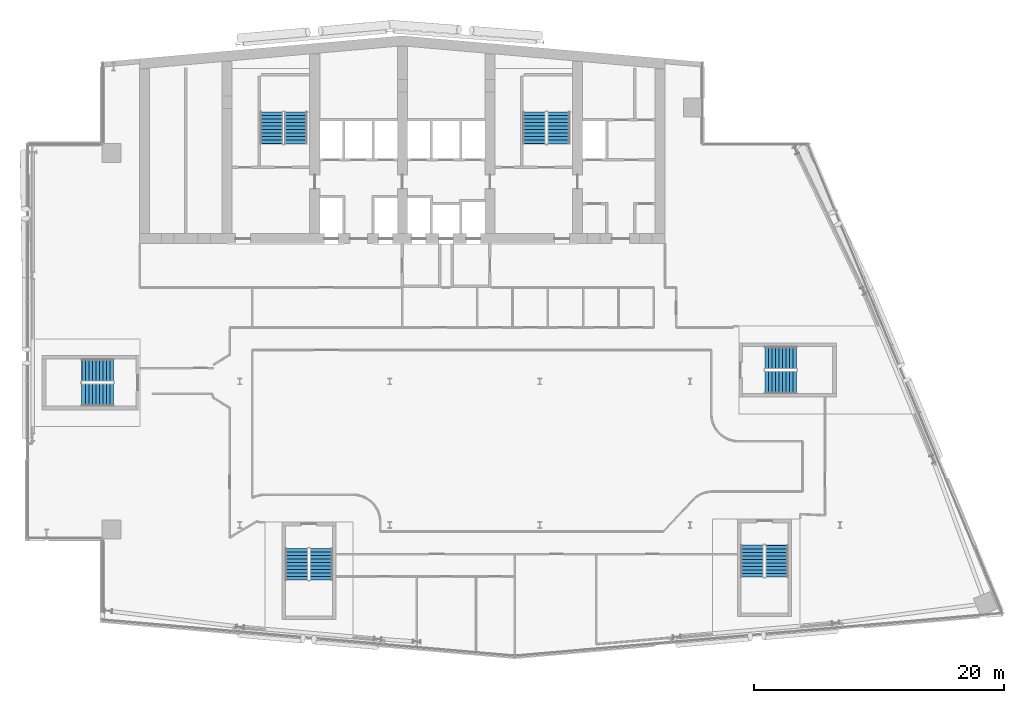
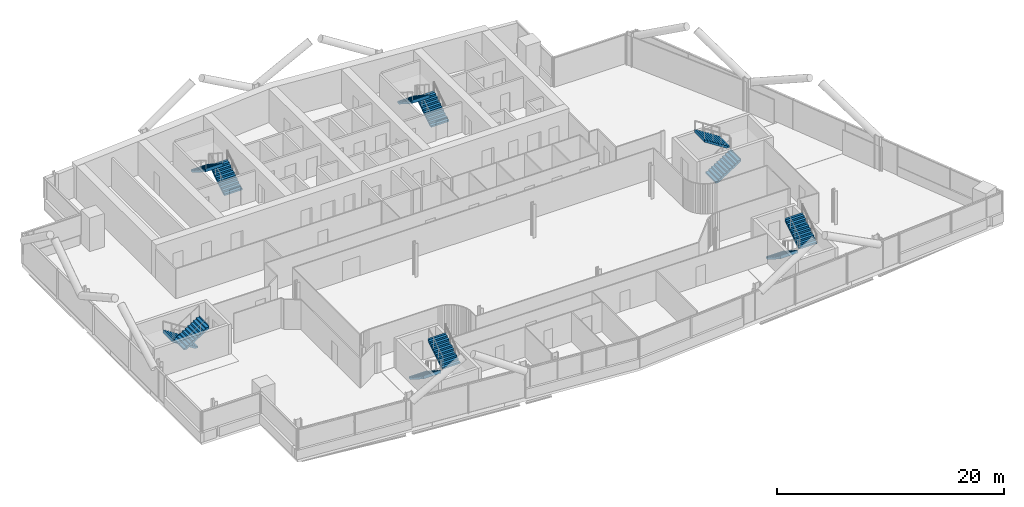
# One storey, part 22 of 29: 12 stair flights, 6 elements without a shape of their own.
"""IFC4 building model written with IfcOpenShell, lengths in metres."""

from ifc_helpers import new_model, si_unit, direction, frame, origin, place, context, subcontext, project, spatial, polyline, outline, extrude, material, type_object, element, aggregate, save


model = new_model("IFC4")

# Units and contexts
model_context = context("Model", 3, precision=1e-05, world=origin(), true_north=direction((0.0, 1.0)))
body_context = subcontext(model_context, "Body", "Model", "MODEL_VIEW")
ifc_project = project(units=[si_unit("LENGTHUNIT", "METRE"), si_unit("AREAUNIT", "SQUARE_METRE"), si_unit("VOLUMEUNIT", "CUBIC_METRE"), si_unit("PLANEANGLEUNIT", "RADIAN"), si_unit("MASSUNIT", "GRAM", prefix="KILO")], contexts=[model_context])

# Site, building, storey
site_placement = place(None, origin())
site = spatial("IfcSite", under=ifc_project, at=site_placement, CompositionType="ELEMENT")
building_placement = place(site_placement, origin())
building = spatial("IfcBuilding", under=site, at=building_placement, Name="Wharfspan Tower", CompositionType="ELEMENT")
storey_placement = place(building_placement, frame((0.0, 0.0, 162.699951)))
storey = spatial("IfcBuildingStorey", under=building, at=storey_placement, Name="L39", CompositionType="ELEMENT", Elevation=162.699951)

# Stair, stair flights
ifc_material = material(Name="Concrete C40/50", Category="concrete")
stair_type = type_object("IfcStairType", Name="Half-turn stair 20 risers 180 mm", PredefinedType="HALF_TURN_STAIR", material=ifc_material)
stair_1_placement = place(storey_placement, origin())
stair_1 = element("IfcStair", 1, at=stair_1_placement, inside=storey, type_object=stair_type, Name="L39 stair ST1", PredefinedType="HALF_TURN_STAIR")
stair_flight_type = type_object("IfcStairFlightType", Name="Stair flight 20 risers 180 mm", PredefinedType="STRAIGHT", material=ifc_material)
stair_flight_1_placement = place(storey_placement, frame((28.5, 42.0, 0.0), z_axis=(0.0, 0.0, 1.0), x_axis=(0.0, 1.0, 0.0)))
stair_flight_1 = element("IfcStairFlight", 2, at=stair_flight_1_placement, type_object=stair_flight_type, Name="ST1 flight 1", NumberOfRisers=10, NumberOfTreads=9, PredefinedType="STRAIGHT", RiserHeight=0.18, TreadLength=0.28, context=body_context, shape_type="SweptSolid", body=[
    extrude(outline(polyline([(-0.011963, 0.0), (-0.011963, 0.179932), (0.0, 0.179932), (0.280029, 0.179932), (0.280029, 0.360107), (0.560059, 0.360107), (0.560059, 0.540039), (0.840088, 0.540039), (0.840088, 0.719971), (1.120117, 0.719971), (1.120117, 0.899902), (1.399902, 0.899902), (1.399902, 1.080078), (1.679932, 1.080078), (1.679932, 1.26001), (1.959961, 1.26001), (1.959961, 1.439941), (2.23999, 1.439941), (2.23999, 1.620117), (2.52002, 1.620117), (2.531982, 1.800049), (2.531982, 1.441895), (0.2771, 0.0), (-0.011963, 0.0)])), frame((0.0, 0.899902, 0.0), z_axis=(0.0, -1.0, 0.0), x_axis=(1.0, 0.0, 0.0)), (0.0, 0.0, 1.0), 0.899414),
    extrude(outline(polyline([(-0.011963, 0.0), (-0.011963, 0.179932), (0.0, 0.179932), (0.280029, 0.179932), (0.280029, 0.360107), (0.560059, 0.360107), (0.560059, 0.540039), (0.840088, 0.540039), (0.840088, 0.719971), (1.120117, 0.719971), (1.120117, 0.899902), (1.399902, 0.899902), (1.399902, 1.080078), (1.679932, 1.080078), (1.679932, 1.26001), (1.959961, 1.26001), (1.959961, 1.439941), (2.23999, 1.439941), (2.23999, 1.620117), (2.52002, 1.620117), (2.531982, 1.800049), (2.531982, 1.441895), (0.2771, 0.0), (-0.011963, 0.0)])), frame((0.0, -0.000488, 0.0), z_axis=(0.0, -1.0, 0.0), x_axis=(1.0, 0.0, 0.0)), (0.0, 0.0, 1.0), 0.899414),
])
stair_flight_2_placement = place(storey_placement, frame((26.550049, 44.52002, 1.800049), z_axis=(0.0, 0.0, 1.0), x_axis=(0.0, -1.0, 0.0)))
stair_flight_2 = element("IfcStairFlight", 3, at=stair_flight_2_placement, type_object=stair_flight_type, Name="ST1 flight 2", NumberOfRisers=10, NumberOfTreads=9, PredefinedType="STRAIGHT", RiserHeight=0.18, TreadLength=0.28, context=body_context, shape_type="SweptSolid", body=[
    extrude(outline(polyline([(-0.011963, 0.0), (-0.011963, 0.179932), (0.0, 0.179932), (0.280029, 0.179932), (0.280029, 0.360107), (0.560059, 0.360107), (0.560059, 0.540039), (0.840088, 0.540039), (0.840088, 0.719971), (1.120117, 0.719971), (1.120117, 0.899902), (1.399902, 0.899902), (1.399902, 1.080078), (1.679932, 1.080078), (1.679932, 1.26001), (1.959961, 1.26001), (1.959961, 1.439941), (2.23999, 1.439941), (2.23999, 1.620117), (2.52002, 1.620117), (2.531982, 1.800049), (2.531982, 1.441895), (0.2771, 0.0), (-0.011963, 0.0)])), frame((0.0, 0.899902, 0.0), z_axis=(0.0, -1.0, 0.0), x_axis=(1.0, 0.0, 0.0)), (0.0, 0.0, 1.0), 0.899414),
    extrude(outline(polyline([(-0.011963, 0.0), (-0.011963, 0.179932), (0.0, 0.179932), (0.280029, 0.179932), (0.280029, 0.360107), (0.560059, 0.360107), (0.560059, 0.540039), (0.840088, 0.540039), (0.840088, 0.719971), (1.120117, 0.719971), (1.120117, 0.899902), (1.399902, 0.899902), (1.399902, 1.080078), (1.679932, 1.080078), (1.679932, 1.26001), (1.959961, 1.26001), (1.959961, 1.439941), (2.23999, 1.439941), (2.23999, 1.620117), (2.52002, 1.620117), (2.531982, 1.800049), (2.531982, 1.441895), (0.2771, 0.0), (-0.011963, 0.0)])), frame((0.0, -0.000488, 0.0), z_axis=(0.0, -1.0, 0.0), x_axis=(1.0, 0.0, 0.0)), (0.0, 0.0, 1.0), 0.899414),
])
aggregate(stair_1, [stair_flight_1, stair_flight_2])

stair_2_placement = place(storey_placement, origin())
stair_2 = element("IfcStair", 4, at=stair_2_placement, inside=storey, type_object=stair_type, Name="L39 stair ST2", PredefinedType="HALF_TURN_STAIR")
stair_flight_3_placement = place(storey_placement, frame((49.5, 42.0, 0.0), z_axis=(0.0, 0.0, 1.0), x_axis=(0.0, 1.0, 0.0)))
stair_flight_3 = element("IfcStairFlight", 5, at=stair_flight_3_placement, type_object=stair_flight_type, Name="ST2 flight 1", NumberOfRisers=10, NumberOfTreads=9, PredefinedType="STRAIGHT", RiserHeight=0.18, TreadLength=0.28, context=body_context, shape_type="SweptSolid", body=[
    extrude(outline(polyline([(-0.011963, 0.0), (-0.011963, 0.179932), (0.0, 0.179932), (0.280029, 0.179932), (0.280029, 0.360107), (0.560059, 0.360107), (0.560059, 0.540039), (0.840088, 0.540039), (0.840088, 0.719971), (1.120117, 0.719971), (1.120117, 0.899902), (1.399902, 0.899902), (1.399902, 1.080078), (1.679932, 1.080078), (1.679932, 1.26001), (1.959961, 1.26001), (1.959961, 1.439941), (2.23999, 1.439941), (2.23999, 1.620117), (2.52002, 1.620117), (2.531982, 1.800049), (2.531982, 1.441895), (0.2771, 0.0), (-0.011963, 0.0)])), frame((0.0, 0.899902, 0.0), z_axis=(0.0, -1.0, 0.0), x_axis=(1.0, 0.0, 0.0)), (0.0, 0.0, 1.0), 0.899414),
    extrude(outline(polyline([(-0.011963, 0.0), (-0.011963, 0.179932), (0.0, 0.179932), (0.280029, 0.179932), (0.280029, 0.360107), (0.560059, 0.360107), (0.560059, 0.540039), (0.840088, 0.540039), (0.840088, 0.719971), (1.120117, 0.719971), (1.120117, 0.899902), (1.399902, 0.899902), (1.399902, 1.080078), (1.679932, 1.080078), (1.679932, 1.26001), (1.959961, 1.26001), (1.959961, 1.439941), (2.23999, 1.439941), (2.23999, 1.620117), (2.52002, 1.620117), (2.531982, 1.800049), (2.531982, 1.441895), (0.2771, 0.0), (-0.011963, 0.0)])), frame((0.0, -0.000488, 0.0), z_axis=(0.0, -1.0, 0.0), x_axis=(1.0, 0.0, 0.0)), (0.0, 0.0, 1.0), 0.899414),
])
stair_flight_4_placement = place(storey_placement, frame((47.550049, 44.52002, 1.800049), z_axis=(0.0, 0.0, 1.0), x_axis=(0.0, -1.0, 0.0)))
stair_flight_4 = element("IfcStairFlight", 6, at=stair_flight_4_placement, type_object=stair_flight_type, Name="ST2 flight 2", NumberOfRisers=10, NumberOfTreads=9, PredefinedType="STRAIGHT", RiserHeight=0.18, TreadLength=0.28, context=body_context, shape_type="SweptSolid", body=[
    extrude(outline(polyline([(-0.011963, 0.0), (-0.011963, 0.179932), (0.0, 0.179932), (0.280029, 0.179932), (0.280029, 0.360107), (0.560059, 0.360107), (0.560059, 0.540039), (0.840088, 0.540039), (0.840088, 0.719971), (1.120117, 0.719971), (1.120117, 0.899902), (1.399902, 0.899902), (1.399902, 1.080078), (1.679932, 1.080078), (1.679932, 1.26001), (1.959961, 1.26001), (1.959961, 1.439941), (2.23999, 1.439941), (2.23999, 1.620117), (2.52002, 1.620117), (2.531982, 1.800049), (2.531982, 1.441895), (0.2771, 0.0), (-0.011963, 0.0)])), frame((0.0, 0.899902, 0.0), z_axis=(0.0, -1.0, 0.0), x_axis=(1.0, 0.0, 0.0)), (0.0, 0.0, 1.0), 0.899414),
    extrude(outline(polyline([(-0.011963, 0.0), (-0.011963, 0.179932), (0.0, 0.179932), (0.280029, 0.179932), (0.280029, 0.360107), (0.560059, 0.360107), (0.560059, 0.540039), (0.840088, 0.540039), (0.840088, 0.719971), (1.120117, 0.719971), (1.120117, 0.899902), (1.399902, 0.899902), (1.399902, 1.080078), (1.679932, 1.080078), (1.679932, 1.26001), (1.959961, 1.26001), (1.959961, 1.439941), (2.23999, 1.439941), (2.23999, 1.620117), (2.52002, 1.620117), (2.531982, 1.800049), (2.531982, 1.441895), (0.2771, 0.0), (-0.011963, 0.0)])), frame((0.0, -0.000488, 0.0), z_axis=(0.0, -1.0, 0.0), x_axis=(1.0, 0.0, 0.0)), (0.0, 0.0, 1.0), 0.899414),
])
aggregate(stair_2, [stair_flight_3, stair_flight_4])

stair_3_placement = place(storey_placement, origin())
stair_3 = element("IfcStair", 7, at=stair_3_placement, inside=storey, type_object=stair_type, Name="L39 stair ST3", PredefinedType="HALF_TURN_STAIR")
stair_flight_5_placement = place(storey_placement, frame((13.899902, 23.875, 0.0), z_axis=(0.0, 0.0, 1.0), x_axis=(-1.0, 0.0, 0.0)))
stair_flight_5 = element("IfcStairFlight", 8, at=stair_flight_5_placement, type_object=stair_flight_type, Name="ST3 flight 1", NumberOfRisers=10, NumberOfTreads=9, PredefinedType="STRAIGHT", RiserHeight=0.18, TreadLength=0.28, context=body_context, shape_type="SweptSolid", body=[
    extrude(outline(polyline([(-0.011963, 0.0), (-0.011963, 0.179932), (0.0, 0.179932), (0.280029, 0.179932), (0.280029, 0.360107), (0.560059, 0.360107), (0.560059, 0.540039), (0.840088, 0.540039), (0.840088, 0.719971), (1.120117, 0.719971), (1.120117, 0.899902), (1.399902, 0.899902), (1.399902, 1.080078), (1.679932, 1.080078), (1.679932, 1.26001), (1.959961, 1.26001), (1.959961, 1.439941), (2.23999, 1.439941), (2.23999, 1.620117), (2.52002, 1.620117), (2.531982, 1.800049), (2.531982, 1.441895), (0.2771, 0.0), (-0.011963, 0.0)])), frame((0.0, 0.899902, 0.0), z_axis=(0.0, -1.0, 0.0), x_axis=(1.0, 0.0, 0.0)), (0.0, 0.0, 1.0), 0.899414),
    extrude(outline(polyline([(-0.011963, 0.0), (-0.011963, 0.179932), (0.0, 0.179932), (0.280029, 0.179932), (0.280029, 0.360107), (0.560059, 0.360107), (0.560059, 0.540039), (0.840088, 0.540039), (0.840088, 0.719971), (1.120117, 0.719971), (1.120117, 0.899902), (1.399902, 0.899902), (1.399902, 1.080078), (1.679932, 1.080078), (1.679932, 1.26001), (1.959961, 1.26001), (1.959961, 1.439941), (2.23999, 1.439941), (2.23999, 1.620117), (2.52002, 1.620117), (2.531982, 1.800049), (2.531982, 1.441895), (0.2771, 0.0), (-0.011963, 0.0)])), frame((0.0, -0.000488, 0.0), z_axis=(0.0, -1.0, 0.0), x_axis=(1.0, 0.0, 0.0)), (0.0, 0.0, 1.0), 0.899414),
])
stair_flight_6_placement = place(storey_placement, frame((11.379883, 21.925049, 1.800049), z_axis=(0.0, 0.0, 1.0), x_axis=(1.0, 0.0, 0.0)))
stair_flight_6 = element("IfcStairFlight", 9, at=stair_flight_6_placement, type_object=stair_flight_type, Name="ST3 flight 2", NumberOfRisers=10, NumberOfTreads=9, PredefinedType="STRAIGHT", RiserHeight=0.18, TreadLength=0.28, context=body_context, shape_type="SweptSolid", body=[
    extrude(outline(polyline([(-0.011963, 0.0), (-0.011963, 0.179932), (0.0, 0.179932), (0.280029, 0.179932), (0.280029, 0.360107), (0.560059, 0.360107), (0.560059, 0.540039), (0.840088, 0.540039), (0.840088, 0.719971), (1.120117, 0.719971), (1.120117, 0.899902), (1.399902, 0.899902), (1.399902, 1.080078), (1.679932, 1.080078), (1.679932, 1.26001), (1.959961, 1.26001), (1.959961, 1.439941), (2.23999, 1.439941), (2.23999, 1.620117), (2.52002, 1.620117), (2.531982, 1.800049), (2.531982, 1.441895), (0.2771, 0.0), (-0.011963, 0.0)])), frame((0.0, 0.899902, 0.0), z_axis=(0.0, -1.0, 0.0), x_axis=(1.0, 0.0, 0.0)), (0.0, 0.0, 1.0), 0.899414),
    extrude(outline(polyline([(-0.011963, 0.0), (-0.011963, 0.179932), (0.0, 0.179932), (0.280029, 0.179932), (0.280029, 0.360107), (0.560059, 0.360107), (0.560059, 0.540039), (0.840088, 0.540039), (0.840088, 0.719971), (1.120117, 0.719971), (1.120117, 0.899902), (1.399902, 0.899902), (1.399902, 1.080078), (1.679932, 1.080078), (1.679932, 1.26001), (1.959961, 1.26001), (1.959961, 1.439941), (2.23999, 1.439941), (2.23999, 1.620117), (2.52002, 1.620117), (2.531982, 1.800049), (2.531982, 1.441895), (0.2771, 0.0), (-0.011963, 0.0)])), frame((0.0, -0.000488, 0.0), z_axis=(0.0, -1.0, 0.0), x_axis=(1.0, 0.0, 0.0)), (0.0, 0.0, 1.0), 0.899414),
])
aggregate(stair_3, [stair_flight_5, stair_flight_6])

stair_4_placement = place(storey_placement, origin())
stair_4 = element("IfcStair", 10, at=stair_4_placement, inside=storey, type_object=stair_type, Name="L39 stair ST4", PredefinedType="HALF_TURN_STAIR")
stair_flight_7_placement = place(storey_placement, frame((28.564209, 9.634277, 0.0), z_axis=(0.0, 0.0, 1.0), x_axis=(0.0, -1.0, 0.0)))
stair_flight_7 = element("IfcStairFlight", 11, at=stair_flight_7_placement, type_object=stair_flight_type, Name="ST4 flight 1", NumberOfRisers=10, NumberOfTreads=9, PredefinedType="STRAIGHT", RiserHeight=0.18, TreadLength=0.28, context=body_context, shape_type="SweptSolid", body=[
    extrude(outline(polyline([(-0.011963, 0.0), (-0.011963, 0.179932), (0.0, 0.179932), (0.280029, 0.179932), (0.280029, 0.360107), (0.560059, 0.360107), (0.560059, 0.540039), (0.840088, 0.540039), (0.840088, 0.719971), (1.120117, 0.719971), (1.120117, 0.899902), (1.399902, 0.899902), (1.399902, 1.080078), (1.679932, 1.080078), (1.679932, 1.26001), (1.959961, 1.26001), (1.959961, 1.439941), (2.23999, 1.439941), (2.23999, 1.620117), (2.52002, 1.620117), (2.531982, 1.800049), (2.531982, 1.441895), (0.2771, 0.0), (-0.011963, 0.0)])), frame((0.0, 0.899902, 0.0), z_axis=(0.0, -1.0, 0.0), x_axis=(1.0, 0.0, 0.0)), (0.0, 0.0, 1.0), 0.899414),
    extrude(outline(polyline([(-0.011963, 0.0), (-0.011963, 0.179932), (0.0, 0.179932), (0.280029, 0.179932), (0.280029, 0.360107), (0.560059, 0.360107), (0.560059, 0.540039), (0.840088, 0.540039), (0.840088, 0.719971), (1.120117, 0.719971), (1.120117, 0.899902), (1.399902, 0.899902), (1.399902, 1.080078), (1.679932, 1.080078), (1.679932, 1.26001), (1.959961, 1.26001), (1.959961, 1.439941), (2.23999, 1.439941), (2.23999, 1.620117), (2.52002, 1.620117), (2.531982, 1.800049), (2.531982, 1.441895), (0.2771, 0.0), (-0.011963, 0.0)])), frame((0.0, -0.000488, 0.0), z_axis=(0.0, -1.0, 0.0), x_axis=(1.0, 0.0, 0.0)), (0.0, 0.0, 1.0), 0.899414),
])
stair_flight_8_placement = place(storey_placement, frame((30.51416, 7.114258, 1.800049), z_axis=(0.0, 0.0, 1.0), x_axis=(0.0, 1.0, 0.0)))
stair_flight_8 = element("IfcStairFlight", 12, at=stair_flight_8_placement, type_object=stair_flight_type, Name="ST4 flight 2", NumberOfRisers=10, NumberOfTreads=9, PredefinedType="STRAIGHT", RiserHeight=0.18, TreadLength=0.28, context=body_context, shape_type="SweptSolid", body=[
    extrude(outline(polyline([(-0.011963, 0.0), (-0.011963, 0.179932), (0.0, 0.179932), (0.280029, 0.179932), (0.280029, 0.360107), (0.560059, 0.360107), (0.560059, 0.540039), (0.840088, 0.540039), (0.840088, 0.719971), (1.120117, 0.719971), (1.120117, 0.899902), (1.399902, 0.899902), (1.399902, 1.080078), (1.679932, 1.080078), (1.679932, 1.26001), (1.959961, 1.26001), (1.959961, 1.439941), (2.23999, 1.439941), (2.23999, 1.620117), (2.52002, 1.620117), (2.531982, 1.800049), (2.531982, 1.441895), (0.2771, 0.0), (-0.011963, 0.0)])), frame((0.0, 0.899902, 0.0), z_axis=(0.0, -1.0, 0.0), x_axis=(1.0, 0.0, 0.0)), (0.0, 0.0, 1.0), 0.899414),
    extrude(outline(polyline([(-0.011963, 0.0), (-0.011963, 0.179932), (0.0, 0.179932), (0.280029, 0.179932), (0.280029, 0.360107), (0.560059, 0.360107), (0.560059, 0.540039), (0.840088, 0.540039), (0.840088, 0.719971), (1.120117, 0.719971), (1.120117, 0.899902), (1.399902, 0.899902), (1.399902, 1.080078), (1.679932, 1.080078), (1.679932, 1.26001), (1.959961, 1.26001), (1.959961, 1.439941), (2.23999, 1.439941), (2.23999, 1.620117), (2.52002, 1.620117), (2.531982, 1.800049), (2.531982, 1.441895), (0.2771, 0.0), (-0.011963, 0.0)])), frame((0.0, -0.000488, 0.0), z_axis=(0.0, -1.0, 0.0), x_axis=(1.0, 0.0, 0.0)), (0.0, 0.0, 1.0), 0.899414),
])
aggregate(stair_4, [stair_flight_7, stair_flight_8])

stair_5_placement = place(storey_placement, origin())
stair_5 = element("IfcStair", 13, at=stair_5_placement, inside=storey, type_object=stair_type, Name="L39 stair ST5", PredefinedType="HALF_TURN_STAIR")
stair_flight_9_placement = place(storey_placement, frame((64.986328, 9.883789, 0.0), z_axis=(0.0, 0.0, 1.0), x_axis=(0.0, -1.0, 0.0)))
stair_flight_9 = element("IfcStairFlight", 14, at=stair_flight_9_placement, type_object=stair_flight_type, Name="ST5 flight 1", NumberOfRisers=10, NumberOfTreads=9, PredefinedType="STRAIGHT", RiserHeight=0.18, TreadLength=0.28, context=body_context, shape_type="SweptSolid", body=[
    extrude(outline(polyline([(-0.011963, 0.0), (-0.011963, 0.179932), (0.0, 0.179932), (0.280029, 0.179932), (0.280029, 0.360107), (0.560059, 0.360107), (0.560059, 0.540039), (0.840088, 0.540039), (0.840088, 0.719971), (1.120117, 0.719971), (1.120117, 0.899902), (1.399902, 0.899902), (1.399902, 1.080078), (1.679932, 1.080078), (1.679932, 1.26001), (1.959961, 1.26001), (1.959961, 1.439941), (2.23999, 1.439941), (2.23999, 1.620117), (2.52002, 1.620117), (2.531982, 1.800049), (2.531982, 1.441895), (0.2771, 0.0), (-0.011963, 0.0)])), frame((0.0, 0.899902, 0.0), z_axis=(0.0, -1.0, 0.0), x_axis=(1.0, 0.0, 0.0)), (0.0, 0.0, 1.0), 0.899414),
    extrude(outline(polyline([(-0.011963, 0.0), (-0.011963, 0.179932), (0.0, 0.179932), (0.280029, 0.179932), (0.280029, 0.360107), (0.560059, 0.360107), (0.560059, 0.540039), (0.840088, 0.540039), (0.840088, 0.719971), (1.120117, 0.719971), (1.120117, 0.899902), (1.399902, 0.899902), (1.399902, 1.080078), (1.679932, 1.080078), (1.679932, 1.26001), (1.959961, 1.26001), (1.959961, 1.439941), (2.23999, 1.439941), (2.23999, 1.620117), (2.52002, 1.620117), (2.531982, 1.800049), (2.531982, 1.441895), (0.2771, 0.0), (-0.011963, 0.0)])), frame((0.0, -0.000488, 0.0), z_axis=(0.0, -1.0, 0.0), x_axis=(1.0, 0.0, 0.0)), (0.0, 0.0, 1.0), 0.899414),
])
stair_flight_10_placement = place(storey_placement, frame((66.936279, 7.36377, 1.800049), z_axis=(0.0, 0.0, 1.0), x_axis=(0.0, 1.0, 0.0)))
stair_flight_10 = element("IfcStairFlight", 15, at=stair_flight_10_placement, type_object=stair_flight_type, Name="ST5 flight 2", NumberOfRisers=10, NumberOfTreads=9, PredefinedType="STRAIGHT", RiserHeight=0.18, TreadLength=0.28, context=body_context, shape_type="SweptSolid", body=[
    extrude(outline(polyline([(-0.011963, 0.0), (-0.011963, 0.179932), (0.0, 0.179932), (0.280029, 0.179932), (0.280029, 0.360107), (0.560059, 0.360107), (0.560059, 0.540039), (0.840088, 0.540039), (0.840088, 0.719971), (1.120117, 0.719971), (1.120117, 0.899902), (1.399902, 0.899902), (1.399902, 1.080078), (1.679932, 1.080078), (1.679932, 1.26001), (1.959961, 1.26001), (1.959961, 1.439941), (2.23999, 1.439941), (2.23999, 1.620117), (2.52002, 1.620117), (2.531982, 1.800049), (2.531982, 1.441895), (0.2771, 0.0), (-0.011963, 0.0)])), frame((0.0, 0.899902, 0.0), z_axis=(0.0, -1.0, 0.0), x_axis=(1.0, 0.0, 0.0)), (0.0, 0.0, 1.0), 0.899414),
    extrude(outline(polyline([(-0.011963, 0.0), (-0.011963, 0.179932), (0.0, 0.179932), (0.280029, 0.179932), (0.280029, 0.360107), (0.560059, 0.360107), (0.560059, 0.540039), (0.840088, 0.540039), (0.840088, 0.719971), (1.120117, 0.719971), (1.120117, 0.899902), (1.399902, 0.899902), (1.399902, 1.080078), (1.679932, 1.080078), (1.679932, 1.26001), (1.959961, 1.26001), (1.959961, 1.439941), (2.23999, 1.439941), (2.23999, 1.620117), (2.52002, 1.620117), (2.531982, 1.800049), (2.531982, 1.441895), (0.2771, 0.0), (-0.011963, 0.0)])), frame((0.0, -0.000488, 0.0), z_axis=(0.0, -1.0, 0.0), x_axis=(1.0, 0.0, 0.0)), (0.0, 0.0, 1.0), 0.899414),
])
aggregate(stair_5, [stair_flight_9, stair_flight_10])

stair_6_placement = place(storey_placement, origin())
stair_6 = element("IfcStair", 16, at=stair_6_placement, inside=storey, type_object=stair_type, Name="L39 stair ST6", PredefinedType="HALF_TURN_STAIR")
stair_flight_11_placement = place(storey_placement, frame((66.004639, 22.925049, 0.0), z_axis=(0.0, 0.0, 1.0), x_axis=(1.0, 0.0, 0.0)))
stair_flight_11 = element("IfcStairFlight", 17, at=stair_flight_11_placement, type_object=stair_flight_type, Name="ST6 flight 1", NumberOfRisers=10, NumberOfTreads=9, PredefinedType="STRAIGHT", RiserHeight=0.18, TreadLength=0.28, context=body_context, shape_type="SweptSolid", body=[
    extrude(outline(polyline([(-0.011963, 0.0), (-0.011963, 0.179932), (0.0, 0.179932), (0.280029, 0.179932), (0.280029, 0.360107), (0.560059, 0.360107), (0.560059, 0.540039), (0.840088, 0.540039), (0.840088, 0.719971), (1.120117, 0.719971), (1.120117, 0.899902), (1.399902, 0.899902), (1.399902, 1.080078), (1.679932, 1.080078), (1.679932, 1.26001), (1.959961, 1.26001), (1.959961, 1.439941), (2.23999, 1.439941), (2.23999, 1.620117), (2.52002, 1.620117), (2.531982, 1.800049), (2.531982, 1.441895), (0.2771, 0.0), (-0.011963, 0.0)])), frame((0.0, 0.899902, 0.0), z_axis=(0.0, -1.0, 0.0), x_axis=(1.0, 0.0, 0.0)), (0.0, 0.0, 1.0), 0.899414),
    extrude(outline(polyline([(-0.011963, 0.0), (-0.011963, 0.179932), (0.0, 0.179932), (0.280029, 0.179932), (0.280029, 0.360107), (0.560059, 0.360107), (0.560059, 0.540039), (0.840088, 0.540039), (0.840088, 0.719971), (1.120117, 0.719971), (1.120117, 0.899902), (1.399902, 0.899902), (1.399902, 1.080078), (1.679932, 1.080078), (1.679932, 1.26001), (1.959961, 1.26001), (1.959961, 1.439941), (2.23999, 1.439941), (2.23999, 1.620117), (2.52002, 1.620117), (2.531982, 1.800049), (2.531982, 1.441895), (0.2771, 0.0), (-0.011963, 0.0)])), frame((0.0, -0.000488, 0.0), z_axis=(0.0, -1.0, 0.0), x_axis=(1.0, 0.0, 0.0)), (0.0, 0.0, 1.0), 0.899414),
])
stair_flight_12_placement = place(storey_placement, frame((68.524658, 24.875, 1.800049), z_axis=(0.0, 0.0, 1.0), x_axis=(-1.0, 0.0, 0.0)))
stair_flight_12 = element("IfcStairFlight", 18, at=stair_flight_12_placement, type_object=stair_flight_type, Name="ST6 flight 2", NumberOfRisers=10, NumberOfTreads=9, PredefinedType="STRAIGHT", RiserHeight=0.18, TreadLength=0.28, context=body_context, shape_type="SweptSolid", body=[
    extrude(outline(polyline([(-0.011963, 0.0), (-0.011963, 0.179932), (0.0, 0.179932), (0.280029, 0.179932), (0.280029, 0.360107), (0.560059, 0.360107), (0.560059, 0.540039), (0.840088, 0.540039), (0.840088, 0.719971), (1.120117, 0.719971), (1.120117, 0.899902), (1.399902, 0.899902), (1.399902, 1.080078), (1.679932, 1.080078), (1.679932, 1.26001), (1.959961, 1.26001), (1.959961, 1.439941), (2.23999, 1.439941), (2.23999, 1.620117), (2.52002, 1.620117), (2.531982, 1.800049), (2.531982, 1.441895), (0.2771, 0.0), (-0.011963, 0.0)])), frame((0.0, 0.899902, 0.0), z_axis=(0.0, -1.0, 0.0), x_axis=(1.0, 0.0, 0.0)), (0.0, 0.0, 1.0), 0.899414),
    extrude(outline(polyline([(-0.011963, 0.0), (-0.011963, 0.179932), (0.0, 0.179932), (0.280029, 0.179932), (0.280029, 0.360107), (0.560059, 0.360107), (0.560059, 0.540039), (0.840088, 0.540039), (0.840088, 0.719971), (1.120117, 0.719971), (1.120117, 0.899902), (1.399902, 0.899902), (1.399902, 1.080078), (1.679932, 1.080078), (1.679932, 1.26001), (1.959961, 1.26001), (1.959961, 1.439941), (2.23999, 1.439941), (2.23999, 1.620117), (2.52002, 1.620117), (2.531982, 1.800049), (2.531982, 1.441895), (0.2771, 0.0), (-0.011963, 0.0)])), frame((0.0, -0.000488, 0.0), z_axis=(0.0, -1.0, 0.0), x_axis=(1.0, 0.0, 0.0)), (0.0, 0.0, 1.0), 0.899414),
])
aggregate(stair_6, [stair_flight_11, stair_flight_12])

save(model, "model.ifc")
